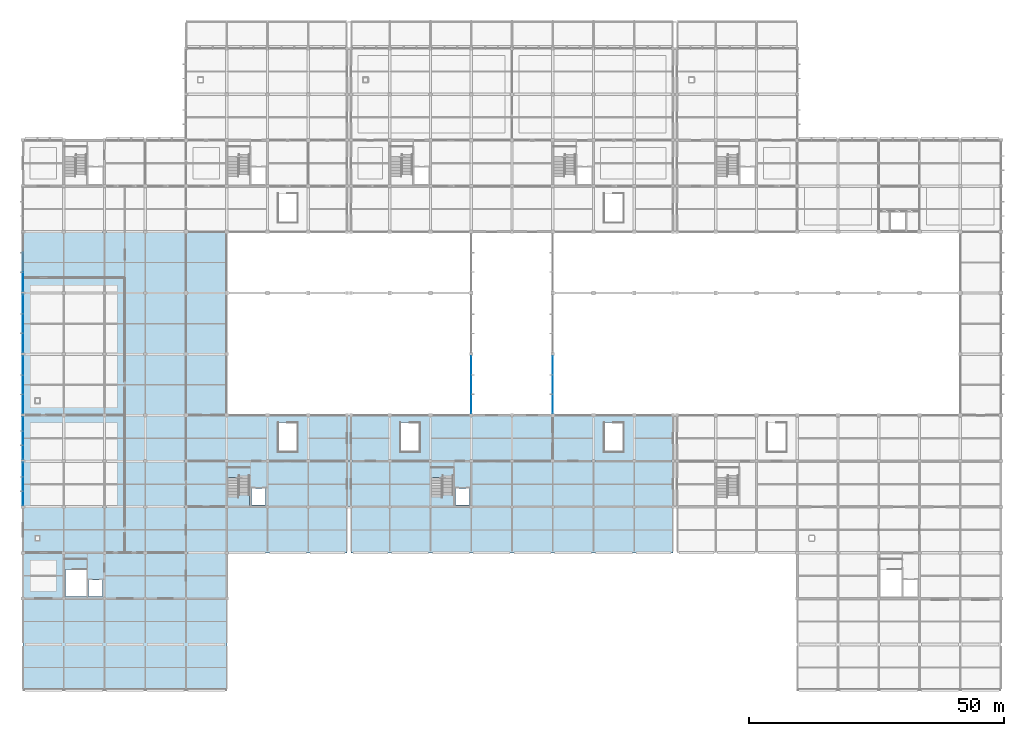
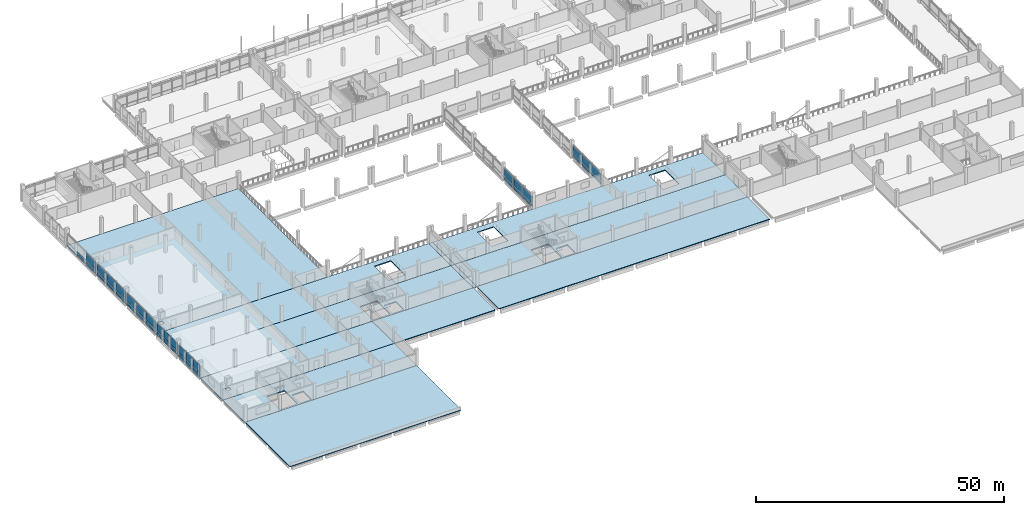
# One storey, part 33 of 57: 39 plates, 14 slabs, 9 elements without a shape of their own.
"""IFC4 building model written with IfcOpenShell, lengths in metres."""

from ifc_helpers import new_model, si_unit, direction, frame, origin, origin_2d, place, context, subcontext, project, spatial, polyline, rectangle, outline, extrude, material, layer, layer_set, type_object, element, aggregate, save


model = new_model("IFC4")

# Units and contexts
model_context = context("Model", 3, precision=1e-05, world=origin(), true_north=direction((0.0, 1.0)))
body_context = subcontext(model_context, "Body", "Model", "MODEL_VIEW")
ifc_project = project(units=[si_unit("LENGTHUNIT", "METRE"), si_unit("AREAUNIT", "SQUARE_METRE"), si_unit("VOLUMEUNIT", "CUBIC_METRE"), si_unit("PLANEANGLEUNIT", "RADIAN"), si_unit("MASSUNIT", "GRAM", prefix="KILO"), si_unit("THERMODYNAMICTEMPERATUREUNIT", "KELVIN"), si_unit("POWERUNIT", "WATT")], contexts=[model_context])

# Site, building, storey
site_placement = place(None, origin())
site = spatial("IfcSite", under=ifc_project, at=site_placement, CompositionType="ELEMENT")
building_placement = place(site_placement, origin())
building = spatial("IfcBuilding", under=site, at=building_placement, Name="Kronsvod Quay Wholesale Market", CompositionType="ELEMENT")
storey_placement = place(building_placement, frame((0.0, 0.0, 4.800048828125)))
storey = spatial("IfcBuildingStorey", under=building, at=storey_placement, Name="L01", CompositionType="ELEMENT", Elevation=4.800048828125)

# Curtain wall, plates
ifc_material_1 = material(Name="Thermally broken aluminium and triple low-E glazing", Category="aluminium")
curtain_wall_type_1 = type_object("IfcCurtainWallType", Name="CW_Wing90x33", PredefinedType="NOTDEFINED", material=ifc_material_1)
curtain_wall_1_placement = place(storey_placement, origin())
curtain_wall_1 = element("IfcCurtainWall", 1, at=curtain_wall_1_placement, inside=storey, type_object=curtain_wall_type_1, Name="CWGY-L01-0-360", PredefinedType="NOTDEFINED")
ifc_material_2 = material(Name="Insulated aluminium spandrel panel", Category="aluminium")
ifc_layer_1 = layer(ifc_material_2, 0.048095703125)
ifc_layer_set_1 = layer_set([ifc_layer_1], Name="Insulated aluminium spandrel panel")
plate_type_1 = type_object("IfcPlateType", Name="CWPanel_SP2691x775", PredefinedType="CURTAIN_PANEL", material=ifc_layer_set_1)
plate_1_placement = place(storey_placement, frame((0.0, 43.28466796875, 0.14990234375), z_axis=(0.0, 0.0, 1.0), x_axis=(0.0, -1.0, 0.0)))
plate_1 = element("IfcPlate", 2, at=plate_1_placement, type_object=plate_type_1, Name="CWGY-L01-0-360-PS1", PredefinedType="CURTAIN_PANEL", context=body_context, shape_type="SweptSolid", body=[
    extrude(rectangle(XDim=2.69091796875, YDim=0.048095703125, at=origin_2d()), origin(), (0.0, 0.0, 1.0), 0.77490234375),
])
plate_2_placement = place(storey_placement, frame((0.0, 37.71533203125, 0.14990234375), z_axis=(0.0, 0.0, 1.0), x_axis=(0.0, -1.0, 0.0)))
plate_2 = element("IfcPlate", 3, at=plate_2_placement, type_object=plate_type_1, Name="CWGY-L01-0-360-PS3", PredefinedType="CURTAIN_PANEL", context=body_context, shape_type="SweptSolid", body=[
    extrude(rectangle(XDim=2.69091796875, YDim=0.048095703125, at=origin_2d()), origin(), (0.0, 0.0, 1.0), 0.77490234375),
])

curtain_wall_2_placement = place(storey_placement, origin())
curtain_wall_2 = element("IfcCurtainWall", 4, at=curtain_wall_2_placement, inside=storey, type_object=curtain_wall_type_1, Name="CWGY-L01-0-450", PredefinedType="NOTDEFINED")
plate_3_placement = place(storey_placement, frame((0.0, 52.28466796875, 0.14990234375), z_axis=(0.0, 0.0, 1.0), x_axis=(0.0, -1.0, 0.0)))
plate_3 = element("IfcPlate", 5, at=plate_3_placement, type_object=plate_type_1, Name="CWGY-L01-0-450-PS1", PredefinedType="CURTAIN_PANEL", context=body_context, shape_type="SweptSolid", body=[
    extrude(rectangle(XDim=2.69091796875, YDim=0.048095703125, at=origin_2d()), origin(), (0.0, 0.0, 1.0), 0.77490234375),
])
plate_4_placement = place(storey_placement, frame((0.0, 46.71533203125, 0.14990234375), z_axis=(0.0, 0.0, 1.0), x_axis=(0.0, -1.0, 0.0)))
plate_4 = element("IfcPlate", 6, at=plate_4_placement, type_object=plate_type_1, Name="CWGY-L01-0-450-PS3", PredefinedType="CURTAIN_PANEL", context=body_context, shape_type="SweptSolid", body=[
    extrude(rectangle(XDim=2.69091796875, YDim=0.048095703125, at=origin_2d()), origin(), (0.0, 0.0, 1.0), 0.77490234375),
])

# Plate
ifc_material_3 = material(Name="Insulated aluminium spandrel panel", Category="aluminium")
ifc_layer_2 = layer(ifc_material_3, 0.048095703125)
ifc_layer_set_2 = layer_set([ifc_layer_2], Name="Insulated aluminium spandrel panel")
plate_type_2 = type_object("IfcPlateType", Name="CWPanel_SP2728x775", PredefinedType="CURTAIN_PANEL", material=ifc_layer_set_2)
plate_5_placement = place(storey_placement, frame((0.0, 40.5, 0.14990234375), z_axis=(0.0, 0.0, 1.0), x_axis=(0.0, -1.0, 0.0)))
plate_5 = element("IfcPlate", 7, at=plate_5_placement, type_object=plate_type_2, Name="CWGY-L01-0-360-PS2", PredefinedType="CURTAIN_PANEL", context=body_context, shape_type="SweptSolid", body=[
    extrude(rectangle(XDim=2.72802734375, YDim=0.048095703125, at=origin_2d()), origin(), (0.0, 0.0, 1.0), 0.77490234375),
])

plate_6_placement = place(storey_placement, frame((0.0, 49.5, 0.14990234375), z_axis=(0.0, 0.0, 1.0), x_axis=(0.0, -1.0, 0.0)))
plate_6 = element("IfcPlate", 8, at=plate_6_placement, type_object=plate_type_2, Name="CWGY-L01-0-450-PS2", PredefinedType="CURTAIN_PANEL", context=body_context, shape_type="SweptSolid", body=[
    extrude(rectangle(XDim=2.72802734375, YDim=0.048095703125, at=origin_2d()), origin(), (0.0, 0.0, 1.0), 0.77490234375),
])

# Curtain wall, plates
ifc_material_4 = material(Name="Thermally broken aluminium and triple low-E glazing", Category="aluminium")
curtain_wall_type_2 = type_object("IfcCurtainWallType", Name="CW_Court120x35", PredefinedType="NOTDEFINED", material=ifc_material_4)
curtain_wall_3_placement = place(storey_placement, origin())
curtain_wall_3 = element("IfcCurtainWall", 9, at=curtain_wall_3_placement, inside=storey, type_object=curtain_wall_type_2, Name="CWGY-L01-880-540", PredefinedType="NOTDEFINED")
ifc_material_5 = material(Name="Insulated aluminium spandrel panel", Category="aluminium")
ifc_layer_3 = layer(ifc_material_5, 0.048095703125)
ifc_layer_set_3 = layer_set([ifc_layer_3], Name="Insulated aluminium spandrel panel")
plate_type_3 = type_object("IfcPlateType", Name="CWPanel_SP3674x775", PredefinedType="CURTAIN_PANEL", material=ifc_layer_set_3)
plate_7_placement = place(storey_placement, frame((88.0, 56.257080078125, 0.14990234375), z_axis=(0.0, 0.0, 1.0), x_axis=(0.0, 1.0, 0.0)))
plate_7 = element("IfcPlate", 10, at=plate_7_placement, type_object=plate_type_3, Name="CWGY-L01-880-540-PS1", PredefinedType="CURTAIN_PANEL", context=body_context, shape_type="SweptSolid", body=[
    extrude(rectangle(XDim=3.674072265625, YDim=0.048095703125, at=origin_2d()), origin(), (0.0, 0.0, 1.0), 0.77490234375),
])
plate_8_placement = place(storey_placement, frame((88.0, 63.79296875, 0.14990234375), z_axis=(0.0, 0.0, 1.0), x_axis=(0.0, 1.0, 0.0)))
plate_8 = element("IfcPlate", 11, at=plate_8_placement, type_object=plate_type_3, Name="CWGY-L01-880-540-PS3", PredefinedType="CURTAIN_PANEL", context=body_context, shape_type="SweptSolid", body=[
    extrude(rectangle(XDim=3.674072265625, YDim=0.048095703125, at=origin_2d()), origin(), (0.0, 0.0, 1.0), 0.77490234375),
])

curtain_wall_4_placement = place(storey_placement, origin())
curtain_wall_4 = element("IfcCurtainWall", 12, at=curtain_wall_4_placement, inside=storey, type_object=curtain_wall_type_2, Name="CWGY-L01-1040-540", PredefinedType="NOTDEFINED")
plate_9_placement = place(storey_placement, frame((104.0, 63.79296875, 0.14990234375), z_axis=(0.0, 0.0, 1.0), x_axis=(0.0, -1.0, 0.0)))
plate_9 = element("IfcPlate", 13, at=plate_9_placement, type_object=plate_type_3, Name="CWGY-L01-1040-540-PS1", PredefinedType="CURTAIN_PANEL", context=body_context, shape_type="SweptSolid", body=[
    extrude(rectangle(XDim=3.674072265625, YDim=0.048095703125, at=origin_2d()), origin(), (0.0, 0.0, 1.0), 0.77490234375),
])
plate_10_placement = place(storey_placement, frame((104.0, 56.257080078125, 0.14990234375), z_axis=(0.0, 0.0, 1.0), x_axis=(0.0, -1.0, 0.0)))
plate_10 = element("IfcPlate", 14, at=plate_10_placement, type_object=plate_type_3, Name="CWGY-L01-1040-540-PS3", PredefinedType="CURTAIN_PANEL", context=body_context, shape_type="SweptSolid", body=[
    extrude(rectangle(XDim=3.674072265625, YDim=0.048095703125, at=origin_2d()), origin(), (0.0, 0.0, 1.0), 0.77490234375),
])

ifc_material_6 = material(Name="Thermally broken aluminium and triple low-E glazing", Category="aluminium")
curtain_wall_type_3 = type_object("IfcCurtainWallType", Name="CW_WestLab90x37", PredefinedType="NOTDEFINED", material=ifc_material_6)
curtain_wall_5_placement = place(storey_placement, origin())
curtain_wall_5 = element("IfcCurtainWall", 15, at=curtain_wall_5_placement, inside=storey, type_object=curtain_wall_type_3, Name="CWGY-L01-0-540", PredefinedType="NOTDEFINED")
ifc_material_7 = material(Name="Insulated aluminium spandrel panel", Category="aluminium")
ifc_layer_4 = layer(ifc_material_7, 0.048095703125)
ifc_layer_set_4 = layer_set([ifc_layer_4], Name="Insulated aluminium spandrel panel")
plate_type_4 = type_object("IfcPlateType", Name="CWPanel_SP3691x775", PredefinedType="CURTAIN_PANEL", material=ifc_layer_set_4)
plate_11_placement = place(storey_placement, frame((0.0, 63.78466796875, 0.14990234375), z_axis=(0.0, 0.0, 1.0), x_axis=(0.0, -1.0, 0.0)))
plate_11 = element("IfcPlate", 16, at=plate_11_placement, type_object=plate_type_4, Name="CWGY-L01-0-540-PS1", PredefinedType="CURTAIN_PANEL", context=body_context, shape_type="SweptSolid", body=[
    extrude(rectangle(XDim=3.69091796875, YDim=0.048095703125, at=origin_2d()), origin(), (0.0, 0.0, 1.0), 0.77490234375),
])
plate_12_placement = place(storey_placement, frame((0.0, 56.21533203125, 0.14990234375), z_axis=(0.0, 0.0, 1.0), x_axis=(0.0, -1.0, 0.0)))
plate_12 = element("IfcPlate", 17, at=plate_12_placement, type_object=plate_type_4, Name="CWGY-L01-0-540-PS3", PredefinedType="CURTAIN_PANEL", context=body_context, shape_type="SweptSolid", body=[
    extrude(rectangle(XDim=3.69091796875, YDim=0.048095703125, at=origin_2d()), origin(), (0.0, 0.0, 1.0), 0.77490234375),
])

curtain_wall_6_placement = place(storey_placement, origin())
curtain_wall_6 = element("IfcCurtainWall", 18, at=curtain_wall_6_placement, inside=storey, type_object=curtain_wall_type_3, Name="CWGY-L01-0-660", PredefinedType="NOTDEFINED")
plate_13_placement = place(storey_placement, frame((0.0, 75.78466796875, 0.14990234375), z_axis=(0.0, 0.0, 1.0), x_axis=(0.0, -1.0, 0.0)))
plate_13 = element("IfcPlate", 19, at=plate_13_placement, type_object=plate_type_4, Name="CWGY-L01-0-660-PS1", PredefinedType="CURTAIN_PANEL", context=body_context, shape_type="SweptSolid", body=[
    extrude(rectangle(XDim=3.69091796875, YDim=0.048095703125, at=origin_2d()), origin(), (0.0, 0.0, 1.0), 0.77490234375),
])
plate_14_placement = place(storey_placement, frame((0.0, 68.21533203125, 0.14990234375), z_axis=(0.0, 0.0, 1.0), x_axis=(0.0, -1.0, 0.0)))
plate_14 = element("IfcPlate", 20, at=plate_14_placement, type_object=plate_type_4, Name="CWGY-L01-0-660-PS3", PredefinedType="CURTAIN_PANEL", context=body_context, shape_type="SweptSolid", body=[
    extrude(rectangle(XDim=3.69091796875, YDim=0.048095703125, at=origin_2d()), origin(), (0.0, 0.0, 1.0), 0.77490234375),
])

# Curtain wall, plate
curtain_wall_7_placement = place(storey_placement, origin())
curtain_wall_7 = element("IfcCurtainWall", 21, at=curtain_wall_7_placement, inside=storey, type_object=curtain_wall_type_3, Name="CWGY-L01-0-780", PredefinedType="NOTDEFINED")
plate_15_placement = place(storey_placement, frame((0.0, 80.21533203125, 0.14990234375), z_axis=(0.0, 0.0, 1.0), x_axis=(0.0, -1.0, 0.0)))
plate_15 = element("IfcPlate", 22, at=plate_15_placement, type_object=plate_type_4, Name="CWGY-L01-0-780-PS3", PredefinedType="CURTAIN_PANEL", context=body_context, shape_type="SweptSolid", body=[
    extrude(rectangle(XDim=3.69091796875, YDim=0.048095703125, at=origin_2d()), origin(), (0.0, 0.0, 1.0), 0.77490234375),
])

# Plate
ifc_material_8 = material(Name="Insulated aluminium spandrel panel", Category="aluminium")
ifc_layer_5 = layer(ifc_material_8, 0.048095703125)
ifc_layer_set_5 = layer_set([ifc_layer_5], Name="Insulated aluminium spandrel panel")
plate_type_5 = type_object("IfcPlateType", Name="CWPanel_SP3712x775", PredefinedType="CURTAIN_PANEL", material=ifc_layer_set_5)
plate_16_placement = place(storey_placement, frame((88.0, 60.02490234375, 0.14990234375), z_axis=(0.0, 0.0, 1.0), x_axis=(0.0, 1.0, 0.0)))
plate_16 = element("IfcPlate", 23, at=plate_16_placement, type_object=plate_type_5, Name="CWGY-L01-880-540-PS2", PredefinedType="CURTAIN_PANEL", context=body_context, shape_type="SweptSolid", body=[
    extrude(rectangle(XDim=3.7119140625, YDim=0.048095703125, at=origin_2d()), origin(), (0.0, 0.0, 1.0), 0.77490234375),
])

plate_17_placement = place(storey_placement, frame((104.0, 60.02490234375, 0.14990234375), z_axis=(0.0, 0.0, 1.0), x_axis=(0.0, -1.0, 0.0)))
plate_17 = element("IfcPlate", 24, at=plate_17_placement, type_object=plate_type_5, Name="CWGY-L01-1040-540-PS2", PredefinedType="CURTAIN_PANEL", context=body_context, shape_type="SweptSolid", body=[
    extrude(rectangle(XDim=3.7119140625, YDim=0.048095703125, at=origin_2d()), origin(), (0.0, 0.0, 1.0), 0.77490234375),
])

ifc_material_9 = material(Name="Insulated aluminium spandrel panel", Category="aluminium")
ifc_layer_6 = layer(ifc_material_9, 0.048095703125)
ifc_layer_set_6 = layer_set([ifc_layer_6], Name="Insulated aluminium spandrel panel")
plate_type_6 = type_object("IfcPlateType", Name="CWPanel_SP3728x775", PredefinedType="CURTAIN_PANEL", material=ifc_layer_set_6)
plate_18_placement = place(storey_placement, frame((0.0, 60.0, 0.14990234375), z_axis=(0.0, 0.0, 1.0), x_axis=(0.0, -1.0, 0.0)))
plate_18 = element("IfcPlate", 25, at=plate_18_placement, type_object=plate_type_6, Name="CWGY-L01-0-540-PS2", PredefinedType="CURTAIN_PANEL", context=body_context, shape_type="SweptSolid", body=[
    extrude(rectangle(XDim=3.72802734375, YDim=0.048095703125, at=origin_2d()), origin(), (0.0, 0.0, 1.0), 0.77490234375),
])

plate_19_placement = place(storey_placement, frame((0.0, 72.0, 0.14990234375), z_axis=(0.0, 0.0, 1.0), x_axis=(0.0, -1.0, 0.0)))
plate_19 = element("IfcPlate", 26, at=plate_19_placement, type_object=plate_type_6, Name="CWGY-L01-0-660-PS2", PredefinedType="CURTAIN_PANEL", context=body_context, shape_type="SweptSolid", body=[
    extrude(rectangle(XDim=3.72802734375, YDim=0.048095703125, at=origin_2d()), origin(), (0.0, 0.0, 1.0), 0.77490234375),
])

plate_20_placement = place(storey_placement, frame((0.0, 84.0, 0.14990234375), z_axis=(0.0, 0.0, 1.0), x_axis=(0.0, -1.0, 0.0)))
plate_20 = element("IfcPlate", 27, at=plate_20_placement, type_object=plate_type_6, Name="CWGY-L01-0-780-PS2", PredefinedType="CURTAIN_PANEL", context=body_context, shape_type="SweptSolid", body=[
    extrude(rectangle(XDim=3.72802734375, YDim=0.048095703125, at=origin_2d()), origin(), (0.0, 0.0, 1.0), 0.77490234375),
])

ifc_material_10 = material(Name="Triple low-E insulated glazing", Category="glass")
ifc_layer_7 = layer(ifc_material_10, 0.0439453125)
ifc_layer_set_7 = layer_set([ifc_layer_7], Name="Triple low-E insulated glazing")
plate_type_7 = type_object("IfcPlateType", Name="CWPanel_VS2691x1825", PredefinedType="CURTAIN_PANEL", material=ifc_layer_set_7)
plate_21_placement = place(storey_placement, frame((0.0, 43.28466796875, 1.0751953125), z_axis=(0.0, 0.0, 1.0), x_axis=(0.0, -1.0, 0.0)))
plate_21 = element("IfcPlate", 28, at=plate_21_placement, type_object=plate_type_7, Name="CWGY-L01-0-360-PV1", PredefinedType="CURTAIN_PANEL", context=body_context, shape_type="SweptSolid", body=[
    extrude(rectangle(XDim=2.69091796875, YDim=0.0439453125, at=origin_2d()), origin(), (0.0, 0.0, 1.0), 1.824951171875),
])

plate_22_placement = place(storey_placement, frame((0.0, 37.71533203125, 1.0751953125), z_axis=(0.0, 0.0, 1.0), x_axis=(0.0, -1.0, 0.0)))
plate_22 = element("IfcPlate", 29, at=plate_22_placement, type_object=plate_type_7, Name="CWGY-L01-0-360-PV3", PredefinedType="CURTAIN_PANEL", context=body_context, shape_type="SweptSolid", body=[
    extrude(rectangle(XDim=2.69091796875, YDim=0.0439453125, at=origin_2d()), origin(), (0.0, 0.0, 1.0), 1.824951171875),
])

plate_23_placement = place(storey_placement, frame((0.0, 52.28466796875, 1.0751953125), z_axis=(0.0, 0.0, 1.0), x_axis=(0.0, -1.0, 0.0)))
plate_23 = element("IfcPlate", 30, at=plate_23_placement, type_object=plate_type_7, Name="CWGY-L01-0-450-PV1", PredefinedType="CURTAIN_PANEL", context=body_context, shape_type="SweptSolid", body=[
    extrude(rectangle(XDim=2.69091796875, YDim=0.0439453125, at=origin_2d()), origin(), (0.0, 0.0, 1.0), 1.824951171875),
])

plate_24_placement = place(storey_placement, frame((0.0, 46.71533203125, 1.0751953125), z_axis=(0.0, 0.0, 1.0), x_axis=(0.0, -1.0, 0.0)))
plate_24 = element("IfcPlate", 31, at=plate_24_placement, type_object=plate_type_7, Name="CWGY-L01-0-450-PV3", PredefinedType="CURTAIN_PANEL", context=body_context, shape_type="SweptSolid", body=[
    extrude(rectangle(XDim=2.69091796875, YDim=0.0439453125, at=origin_2d()), origin(), (0.0, 0.0, 1.0), 1.824951171875),
])

ifc_material_11 = material(Name="Triple low-E insulated glazing", Category="glass")
ifc_layer_8 = layer(ifc_material_11, 0.0439453125)
ifc_layer_set_8 = layer_set([ifc_layer_8], Name="Triple low-E insulated glazing")
plate_type_8 = type_object("IfcPlateType", Name="CWPanel_VS2728x1825", PredefinedType="CURTAIN_PANEL", material=ifc_layer_set_8)
plate_25_placement = place(storey_placement, frame((0.0, 40.5, 1.0751953125), z_axis=(0.0, 0.0, 1.0), x_axis=(0.0, -1.0, 0.0)))
plate_25 = element("IfcPlate", 32, at=plate_25_placement, type_object=plate_type_8, Name="CWGY-L01-0-360-PV2", PredefinedType="CURTAIN_PANEL", context=body_context, shape_type="SweptSolid", body=[
    extrude(rectangle(XDim=2.72802734375, YDim=0.0439453125, at=origin_2d()), origin(), (0.0, 0.0, 1.0), 1.824951171875),
])

aggregate(curtain_wall_1, [plate_1, plate_21, plate_5, plate_25, plate_2, plate_22])

plate_26_placement = place(storey_placement, frame((0.0, 49.5, 1.0751953125), z_axis=(0.0, 0.0, 1.0), x_axis=(0.0, -1.0, 0.0)))
plate_26 = element("IfcPlate", 33, at=plate_26_placement, type_object=plate_type_8, Name="CWGY-L01-0-450-PV2", PredefinedType="CURTAIN_PANEL", context=body_context, shape_type="SweptSolid", body=[
    extrude(rectangle(XDim=2.72802734375, YDim=0.0439453125, at=origin_2d()), origin(), (0.0, 0.0, 1.0), 1.824951171875),
])

aggregate(curtain_wall_2, [plate_3, plate_23, plate_6, plate_26, plate_4, plate_24])

ifc_material_12 = material(Name="Triple low-E insulated glazing", Category="glass")
ifc_layer_9 = layer(ifc_material_12, 0.0439453125)
ifc_layer_set_9 = layer_set([ifc_layer_9], Name="Triple low-E insulated glazing")
plate_type_9 = type_object("IfcPlateType", Name="CWPanel_VS3674x1825", PredefinedType="CURTAIN_PANEL", material=ifc_layer_set_9)
plate_27_placement = place(storey_placement, frame((88.0, 56.257080078125, 1.0751953125), z_axis=(0.0, 0.0, 1.0), x_axis=(0.0, 1.0, 0.0)))
plate_27 = element("IfcPlate", 34, at=plate_27_placement, type_object=plate_type_9, Name="CWGY-L01-880-540-PV1", PredefinedType="CURTAIN_PANEL", context=body_context, shape_type="SweptSolid", body=[
    extrude(rectangle(XDim=3.674072265625, YDim=0.0439453125, at=origin_2d()), origin(), (0.0, 0.0, 1.0), 1.824951171875),
])

plate_28_placement = place(storey_placement, frame((88.0, 63.79296875, 1.0751953125), z_axis=(0.0, 0.0, 1.0), x_axis=(0.0, 1.0, 0.0)))
plate_28 = element("IfcPlate", 35, at=plate_28_placement, type_object=plate_type_9, Name="CWGY-L01-880-540-PV3", PredefinedType="CURTAIN_PANEL", context=body_context, shape_type="SweptSolid", body=[
    extrude(rectangle(XDim=3.674072265625, YDim=0.0439453125, at=origin_2d()), origin(), (0.0, 0.0, 1.0), 1.824951171875),
])

plate_29_placement = place(storey_placement, frame((104.0, 63.79296875, 1.0751953125), z_axis=(0.0, 0.0, 1.0), x_axis=(0.0, -1.0, 0.0)))
plate_29 = element("IfcPlate", 36, at=plate_29_placement, type_object=plate_type_9, Name="CWGY-L01-1040-540-PV1", PredefinedType="CURTAIN_PANEL", context=body_context, shape_type="SweptSolid", body=[
    extrude(rectangle(XDim=3.674072265625, YDim=0.0439453125, at=origin_2d()), origin(), (0.0, 0.0, 1.0), 1.824951171875),
])

plate_30_placement = place(storey_placement, frame((104.0, 56.257080078125, 1.0751953125), z_axis=(0.0, 0.0, 1.0), x_axis=(0.0, -1.0, 0.0)))
plate_30 = element("IfcPlate", 37, at=plate_30_placement, type_object=plate_type_9, Name="CWGY-L01-1040-540-PV3", PredefinedType="CURTAIN_PANEL", context=body_context, shape_type="SweptSolid", body=[
    extrude(rectangle(XDim=3.674072265625, YDim=0.0439453125, at=origin_2d()), origin(), (0.0, 0.0, 1.0), 1.824951171875),
])

ifc_material_13 = material(Name="Triple low-E insulated glazing", Category="glass")
ifc_layer_10 = layer(ifc_material_13, 0.0439453125)
ifc_layer_set_10 = layer_set([ifc_layer_10], Name="Triple low-E insulated glazing")
plate_type_10 = type_object("IfcPlateType", Name="CWPanel_VS3691x1825", PredefinedType="CURTAIN_PANEL", material=ifc_layer_set_10)
plate_31_placement = place(storey_placement, frame((0.0, 63.78466796875, 1.0751953125), z_axis=(0.0, 0.0, 1.0), x_axis=(0.0, -1.0, 0.0)))
plate_31 = element("IfcPlate", 38, at=plate_31_placement, type_object=plate_type_10, Name="CWGY-L01-0-540-PV1", PredefinedType="CURTAIN_PANEL", context=body_context, shape_type="SweptSolid", body=[
    extrude(rectangle(XDim=3.69091796875, YDim=0.0439453125, at=origin_2d()), origin(), (0.0, 0.0, 1.0), 1.824951171875),
])

plate_32_placement = place(storey_placement, frame((0.0, 56.21533203125, 1.0751953125), z_axis=(0.0, 0.0, 1.0), x_axis=(0.0, -1.0, 0.0)))
plate_32 = element("IfcPlate", 39, at=plate_32_placement, type_object=plate_type_10, Name="CWGY-L01-0-540-PV3", PredefinedType="CURTAIN_PANEL", context=body_context, shape_type="SweptSolid", body=[
    extrude(rectangle(XDim=3.69091796875, YDim=0.0439453125, at=origin_2d()), origin(), (0.0, 0.0, 1.0), 1.824951171875),
])

plate_33_placement = place(storey_placement, frame((0.0, 75.78466796875, 1.0751953125), z_axis=(0.0, 0.0, 1.0), x_axis=(0.0, -1.0, 0.0)))
plate_33 = element("IfcPlate", 40, at=plate_33_placement, type_object=plate_type_10, Name="CWGY-L01-0-660-PV1", PredefinedType="CURTAIN_PANEL", context=body_context, shape_type="SweptSolid", body=[
    extrude(rectangle(XDim=3.69091796875, YDim=0.0439453125, at=origin_2d()), origin(), (0.0, 0.0, 1.0), 1.824951171875),
])

plate_34_placement = place(storey_placement, frame((0.0, 68.21533203125, 1.0751953125), z_axis=(0.0, 0.0, 1.0), x_axis=(0.0, -1.0, 0.0)))
plate_34 = element("IfcPlate", 41, at=plate_34_placement, type_object=plate_type_10, Name="CWGY-L01-0-660-PV3", PredefinedType="CURTAIN_PANEL", context=body_context, shape_type="SweptSolid", body=[
    extrude(rectangle(XDim=3.69091796875, YDim=0.0439453125, at=origin_2d()), origin(), (0.0, 0.0, 1.0), 1.824951171875),
])

plate_35_placement = place(storey_placement, frame((0.0, 80.21533203125, 1.0751953125), z_axis=(0.0, 0.0, 1.0), x_axis=(0.0, -1.0, 0.0)))
plate_35 = element("IfcPlate", 42, at=plate_35_placement, type_object=plate_type_10, Name="CWGY-L01-0-780-PV3", PredefinedType="CURTAIN_PANEL", context=body_context, shape_type="SweptSolid", body=[
    extrude(rectangle(XDim=3.69091796875, YDim=0.0439453125, at=origin_2d()), origin(), (0.0, 0.0, 1.0), 1.824951171875),
])

aggregate(curtain_wall_7, [plate_20, plate_15, plate_35])

ifc_material_14 = material(Name="Triple low-E insulated glazing", Category="glass")
ifc_layer_11 = layer(ifc_material_14, 0.0439453125)
ifc_layer_set_11 = layer_set([ifc_layer_11], Name="Triple low-E insulated glazing")
plate_type_11 = type_object("IfcPlateType", Name="CWPanel_VS3712x1825", PredefinedType="CURTAIN_PANEL", material=ifc_layer_set_11)
plate_36_placement = place(storey_placement, frame((88.0, 60.02490234375, 1.0751953125), z_axis=(0.0, 0.0, 1.0), x_axis=(0.0, 1.0, 0.0)))
plate_36 = element("IfcPlate", 43, at=plate_36_placement, type_object=plate_type_11, Name="CWGY-L01-880-540-PV2", PredefinedType="CURTAIN_PANEL", context=body_context, shape_type="SweptSolid", body=[
    extrude(rectangle(XDim=3.7119140625, YDim=0.0439453125, at=origin_2d()), origin(), (0.0, 0.0, 1.0), 1.824951171875),
])

aggregate(curtain_wall_3, [plate_7, plate_27, plate_16, plate_36, plate_8, plate_28])

plate_37_placement = place(storey_placement, frame((104.0, 60.02490234375, 1.0751953125), z_axis=(0.0, 0.0, 1.0), x_axis=(0.0, -1.0, 0.0)))
plate_37 = element("IfcPlate", 44, at=plate_37_placement, type_object=plate_type_11, Name="CWGY-L01-1040-540-PV2", PredefinedType="CURTAIN_PANEL", context=body_context, shape_type="SweptSolid", body=[
    extrude(rectangle(XDim=3.7119140625, YDim=0.0439453125, at=origin_2d()), origin(), (0.0, 0.0, 1.0), 1.824951171875),
])

aggregate(curtain_wall_4, [plate_9, plate_29, plate_17, plate_37, plate_10, plate_30])

ifc_material_15 = material(Name="Triple low-E insulated glazing", Category="glass")
ifc_layer_12 = layer(ifc_material_15, 0.0439453125)
ifc_layer_set_12 = layer_set([ifc_layer_12], Name="Triple low-E insulated glazing")
plate_type_12 = type_object("IfcPlateType", Name="CWPanel_VS3728x1825", PredefinedType="CURTAIN_PANEL", material=ifc_layer_set_12)
plate_38_placement = place(storey_placement, frame((0.0, 60.0, 1.0751953125), z_axis=(0.0, 0.0, 1.0), x_axis=(0.0, -1.0, 0.0)))
plate_38 = element("IfcPlate", 45, at=plate_38_placement, type_object=plate_type_12, Name="CWGY-L01-0-540-PV2", PredefinedType="CURTAIN_PANEL", context=body_context, shape_type="SweptSolid", body=[
    extrude(rectangle(XDim=3.72802734375, YDim=0.0439453125, at=origin_2d()), origin(), (0.0, 0.0, 1.0), 1.824951171875),
])

aggregate(curtain_wall_5, [plate_11, plate_31, plate_18, plate_38, plate_12, plate_32])

plate_39_placement = place(storey_placement, frame((0.0, 72.0, 1.0751953125), z_axis=(0.0, 0.0, 1.0), x_axis=(0.0, -1.0, 0.0)))
plate_39 = element("IfcPlate", 46, at=plate_39_placement, type_object=plate_type_12, Name="CWGY-L01-0-660-PV2", PredefinedType="CURTAIN_PANEL", context=body_context, shape_type="SweptSolid", body=[
    extrude(rectangle(XDim=3.72802734375, YDim=0.0439453125, at=origin_2d()), origin(), (0.0, 0.0, 1.0), 1.824951171875),
])

aggregate(curtain_wall_6, [plate_13, plate_33, plate_19, plate_39, plate_14, plate_34])

# Slabs
ifc_material_16 = material(Name="Precast concrete C40/50", Category="concrete")
ifc_layer_13 = layer(ifc_material_16, 0.18994140625)
ifc_layer_set_13 = layer_set([ifc_layer_13], Name="Precast concrete C40/50")
slab_type_1 = type_object("IfcSlabType", Name="Slab_CanopyRoof190", PredefinedType="ROOF", material=ifc_layer_set_13)
slab_1_placement = place(storey_placement, frame((0.0, 0.0, -0.18994140625)))
element("IfcSlab", 47, at=slab_1_placement, inside=storey, type_object=slab_type_1, Name="SLB-L01-054", PredefinedType="ROOF", context=body_context, shape_type="SweptSolid", body=[
    extrude(outline(polyline([(0.0, 0.0), (40.0, 0.0), (40.0, 18.0), (0.0, 18.0), (0.0, 0.0)])), origin(), (0.0, 0.0, 1.0), 0.18994140625),
])
slab_2_placement = place(storey_placement, frame((0.0, 0.0, -0.18994140625)))
element("IfcSlab", 48, at=slab_2_placement, inside=storey, type_object=slab_type_1, Name="SLB-L01-057", PredefinedType="ROOF", context=body_context, shape_type="SweptSolid", body=[
    extrude(outline(polyline([(40.0, 27.0), (63.580078125, 27.0), (63.580078125, 36.0), (40.0, 36.0), (40.0, 27.0)])), origin(), (0.0, 0.0, 1.0), 0.18994140625),
])
slab_3_placement = place(storey_placement, frame((0.0, 0.0, -0.18994140625)))
element("IfcSlab", 49, at=slab_3_placement, inside=storey, type_object=slab_type_1, Name="SLB-L01-068", PredefinedType="ROOF", context=body_context, shape_type="SweptSolid", body=[
    extrude(outline(polyline([(64.419921875, 27.0), (127.580078125, 27.0), (127.580078125, 36.0), (64.419921875, 36.0), (64.419921875, 27.0)])), origin(), (0.0, 0.0, 1.0), 0.18994140625),
])
ifc_material_17 = material(Name="Concrete C35/45", Category="concrete")
ifc_layer_14 = layer(ifc_material_17, 0.25)
ifc_layer_set_14 = layer_set([ifc_layer_14], Name="Concrete C35/45")
slab_type_2 = type_object("IfcSlabType", Name="Slab_Floor250", PredefinedType="FLOOR", material=ifc_layer_set_14)
slab_4_placement = place(storey_placement, frame((0.0, 0.0, -0.25)))
element("IfcSlab", 50, at=slab_4_placement, inside=storey, type_object=slab_type_2, Name="SLB-L01-060", PredefinedType="FLOOR", context=body_context, shape_type="SweptSolid", body=[
    extrude(outline(polyline([(0.0, 54.0), (40.0, 54.0), (40.0, 90.0), (0.0, 90.0), (0.0, 54.0)]), holes=[polyline([(2.39990234375, 56.39990234375), (3.300048828125, 56.39990234375), (3.300048828125, 57.300048828125), (2.39990234375, 57.300048828125), (2.39990234375, 56.39990234375)])]), origin(), (0.0, 0.0, 1.0), 0.25),
])
ifc_material_18 = material(Name="Concrete C35/45", Category="concrete")
ifc_layer_15 = layer(ifc_material_18, 0.300048828125)
ifc_layer_set_15 = layer_set([ifc_layer_15], Name="Concrete C35/45")
slab_type_3 = type_object("IfcSlabType", Name="Slab_FloorCold300", PredefinedType="FLOOR", material=ifc_layer_set_15)
slab_5_placement = place(storey_placement, frame((0.0, 0.0, -0.300048828125)))
element("IfcSlab", 51, at=slab_5_placement, inside=storey, type_object=slab_type_3, Name="SLB-L01-055", PredefinedType="FLOOR", context=body_context, shape_type="SweptSolid", body=[
    extrude(outline(polyline([(0.0, 18.0), (40.0, 18.0), (40.0, 27.0), (0.0, 27.0), (0.0, 18.0)]), holes=[polyline([(8.3798828125, 18.3798828125), (12.4599609375, 18.3798828125), (12.4599609375, 23.75), (8.3798828125, 23.75), (8.3798828125, 18.3798828125)]), polyline([(12.89990234375, 18.3798828125), (15.6201171875, 18.3798828125), (15.6201171875, 21.6201171875), (12.89990234375, 21.6201171875), (12.89990234375, 18.3798828125)])]), origin(), (0.0, 0.0, 1.0), 0.300048828125),
])
slab_6_placement = place(storey_placement, frame((0.0, 0.0, -0.300048828125)))
element("IfcSlab", 52, at=slab_6_placement, inside=storey, type_object=slab_type_3, Name="SLB-L01-056", PredefinedType="FLOOR", context=body_context, shape_type="SweptSolid", body=[
    extrude(outline(polyline([(0.0, 27.0), (40.0, 27.0), (40.0, 36.0), (0.0, 36.0), (0.0, 27.0)]), holes=[polyline([(2.39990234375, 29.39990234375), (3.300048828125, 29.39990234375), (3.300048828125, 30.300048828125), (2.39990234375, 30.300048828125), (2.39990234375, 29.39990234375)])]), origin(), (0.0, 0.0, 1.0), 0.300048828125),
])
slab_7_placement = place(storey_placement, frame((0.0, 0.0, -0.300048828125)))
element("IfcSlab", 53, at=slab_7_placement, inside=storey, type_object=slab_type_3, Name="SLB-L01-058", PredefinedType="FLOOR", context=body_context, shape_type="SweptSolid", body=[
    extrude(outline(polyline([(0.0, 36.0), (63.580078125, 36.0), (63.580078125, 45.0), (0.0, 45.0), (0.0, 36.0)]), holes=[polyline([(40.3798828125, 36.3798828125), (44.4599609375, 36.3798828125), (44.4599609375, 41.75), (40.3798828125, 41.75), (40.3798828125, 36.3798828125)]), polyline([(44.89990234375, 36.3798828125), (47.6201171875, 36.3798828125), (47.6201171875, 39.6201171875), (44.89990234375, 39.6201171875), (44.89990234375, 36.3798828125)])]), origin(), (0.0, 0.0, 1.0), 0.300048828125),
])
slab_8_placement = place(storey_placement, frame((0.0, 0.0, -0.300048828125)))
element("IfcSlab", 54, at=slab_8_placement, inside=storey, type_object=slab_type_3, Name="SLB-L01-069", PredefinedType="FLOOR", context=body_context, shape_type="SweptSolid", body=[
    extrude(outline(polyline([(64.419921875, 36.0), (127.580078125, 36.0), (127.580078125, 45.0), (64.419921875, 45.0), (64.419921875, 36.0)]), holes=[polyline([(80.3798828125, 36.3798828125), (84.4599609375, 36.3798828125), (84.4599609375, 41.75), (80.3798828125, 41.75), (80.3798828125, 36.3798828125)]), polyline([(84.89990234375, 36.3798828125), (87.6201171875, 36.3798828125), (87.6201171875, 39.6201171875), (84.89990234375, 39.6201171875), (84.89990234375, 36.3798828125)])]), origin(), (0.0, 0.0, 1.0), 0.300048828125),
])
ifc_material_19 = material(Name="Concrete C35/45", Category="concrete")
ifc_layer_16 = layer(ifc_material_19, 0.22998046875)
ifc_layer_set_16 = layer_set([ifc_layer_16], Name="Concrete C35/45")
slab_type_4 = type_object("IfcSlabType", Name="Slab_FloorGallery230", PredefinedType="FLOOR", material=ifc_layer_set_16)
slab_9_placement = place(storey_placement, frame((0.0, 0.0, -0.22998046875)))
element("IfcSlab", 55, at=slab_9_placement, inside=storey, type_object=slab_type_4, Name="SLB-L01-059", PredefinedType="FLOOR", context=body_context, shape_type="SweptSolid", body=[
    extrude(outline(polyline([(0.0, 45.0), (63.580078125, 45.0), (63.580078125, 54.0), (0.0, 54.0), (0.0, 45.0)]), holes=[polyline([(50.10009765625, 46.800048828125), (53.89990234375, 46.800048828125), (53.89990234375, 52.550048828125), (50.10009765625, 52.550048828125), (50.10009765625, 46.800048828125)])]), origin(), (0.0, 0.0, 1.0), 0.22998046875),
])
slab_10_placement = place(storey_placement, frame((0.0, 0.0, -0.22998046875)))
element("IfcSlab", 56, at=slab_10_placement, inside=storey, type_object=slab_type_4, Name="SLB-L01-070", PredefinedType="FLOOR", context=body_context, shape_type="SweptSolid", body=[
    extrude(outline(polyline([(64.419921875, 45.0), (127.580078125, 45.0), (127.580078125, 54.0), (64.419921875, 54.0), (64.419921875, 45.0)]), holes=[polyline([(74.10009765625, 46.800048828125), (77.89990234375, 46.800048828125), (77.89990234375, 52.550048828125), (74.10009765625, 52.550048828125), (74.10009765625, 46.800048828125)]), polyline([(114.10009765625, 46.800048828125), (117.89990234375, 46.800048828125), (117.89990234375, 52.550048828125), (114.10009765625, 52.550048828125), (114.10009765625, 46.800048828125)])]), origin(), (0.0, 0.0, 1.0), 0.22998046875),
])
ifc_material_20 = material(Name="Concrete C35/45", Category="concrete")
ifc_layer_17 = layer(ifc_material_20, 0.2451171875)
ifc_layer_set_17 = layer_set([ifc_layer_17], Name="Concrete C35/45")
slab_type_5 = type_object("IfcSlabType", Name="Slab_JointBridge245", PredefinedType="FLOOR", material=ifc_layer_set_17)
slab_11_placement = place(storey_placement, frame((0.0, 0.0, -0.2451171875)))
element("IfcSlab", 57, at=slab_11_placement, inside=storey, type_object=slab_type_5, Name="SLB-MJ-L01-J1-36", PredefinedType="FLOOR", context=body_context, shape_type="SweptSolid", body=[
    extrude(outline(polyline([(63.580078125, 36.0), (64.419921875, 36.0), (64.419921875, 45.0), (63.580078125, 45.0), (63.580078125, 36.0)])), origin(), (0.0, 0.0, 1.0), 0.2451171875),
])
slab_12_placement = place(storey_placement, frame((0.0, 0.0, -0.2451171875)))
element("IfcSlab", 58, at=slab_12_placement, inside=storey, type_object=slab_type_5, Name="SLB-MJ-L01-J1-45", PredefinedType="FLOOR", context=body_context, shape_type="SweptSolid", body=[
    extrude(outline(polyline([(63.580078125, 45.0), (64.419921875, 45.0), (64.419921875, 54.0), (63.580078125, 54.0), (63.580078125, 45.0)])), origin(), (0.0, 0.0, 1.0), 0.2451171875),
])

# Stair, slab
ifc_material_21 = material(Name="Concrete C35/45", Category="concrete")
stair_type = type_object("IfcStairType", Name="Stair_CoreUpper_28R", PredefinedType="HALF_TURN_STAIR", material=ifc_material_21)
stair_1_placement = place(storey_placement, origin())
stair_1 = element("IfcStair", 59, at=stair_1_placement, inside=storey, type_object=stair_type, Name="ST03-L01", PredefinedType="HALF_TURN_STAIR")
ifc_material_22 = material(Name="Concrete C35/45", Category="concrete")
ifc_layer_18 = layer(ifc_material_22, 0.179931640625)
ifc_layer_set_18 = layer_set([ifc_layer_18], Name="Concrete C35/45")
slab_type_6 = type_object("IfcSlabType", Name="Slab_StairLanding180", PredefinedType="LANDING", material=ifc_layer_set_18)
slab_13_placement = place(storey_placement, frame((0.0, 0.0, 1.919921875)))
slab_13 = element("IfcSlab", 60, at=slab_13_placement, type_object=slab_type_6, Name="ST03-L01-LND", PredefinedType="LANDING", context=body_context, shape_type="SweptSolid", body=[
    extrude(outline(polyline([(40.1201171875, 36.1201171875), (44.5, 36.1201171875), (44.5, 38.360107421875), (40.1201171875, 38.360107421875), (40.1201171875, 36.1201171875)])), origin(), (0.0, 0.0, 1.0), 0.179931640625),
])
aggregate(stair_1, [slab_13])

stair_2_placement = place(storey_placement, origin())
stair_2 = element("IfcStair", 61, at=stair_2_placement, inside=storey, type_object=stair_type, Name="ST04-L01", PredefinedType="HALF_TURN_STAIR")
slab_14_placement = place(storey_placement, frame((0.0, 0.0, 1.919921875)))
slab_14 = element("IfcSlab", 62, at=slab_14_placement, type_object=slab_type_6, Name="ST04-L01-LND", PredefinedType="LANDING", context=body_context, shape_type="SweptSolid", body=[
    extrude(outline(polyline([(80.1201171875, 36.1201171875), (84.5, 36.1201171875), (84.5, 38.360107421875), (80.1201171875, 38.360107421875), (80.1201171875, 36.1201171875)])), origin(), (0.0, 0.0, 1.0), 0.179931640625),
])
aggregate(stair_2, [slab_14])

save(model, "model.ifc")
